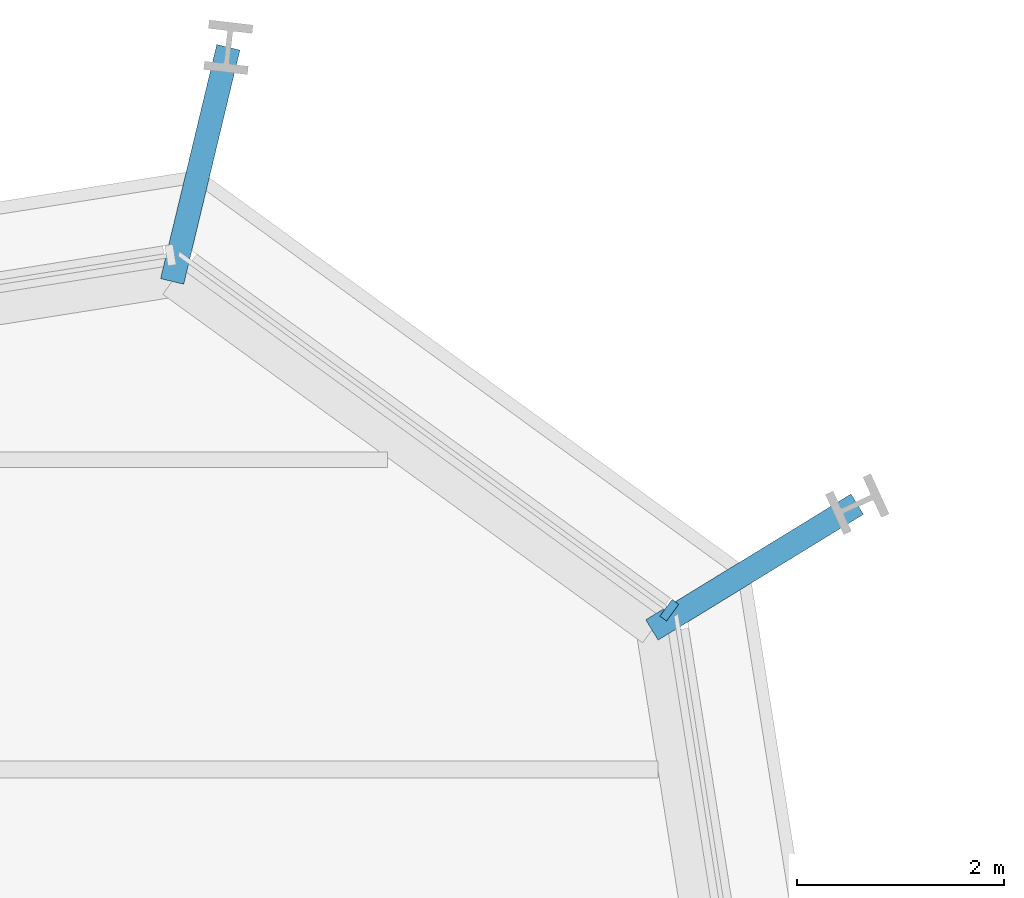
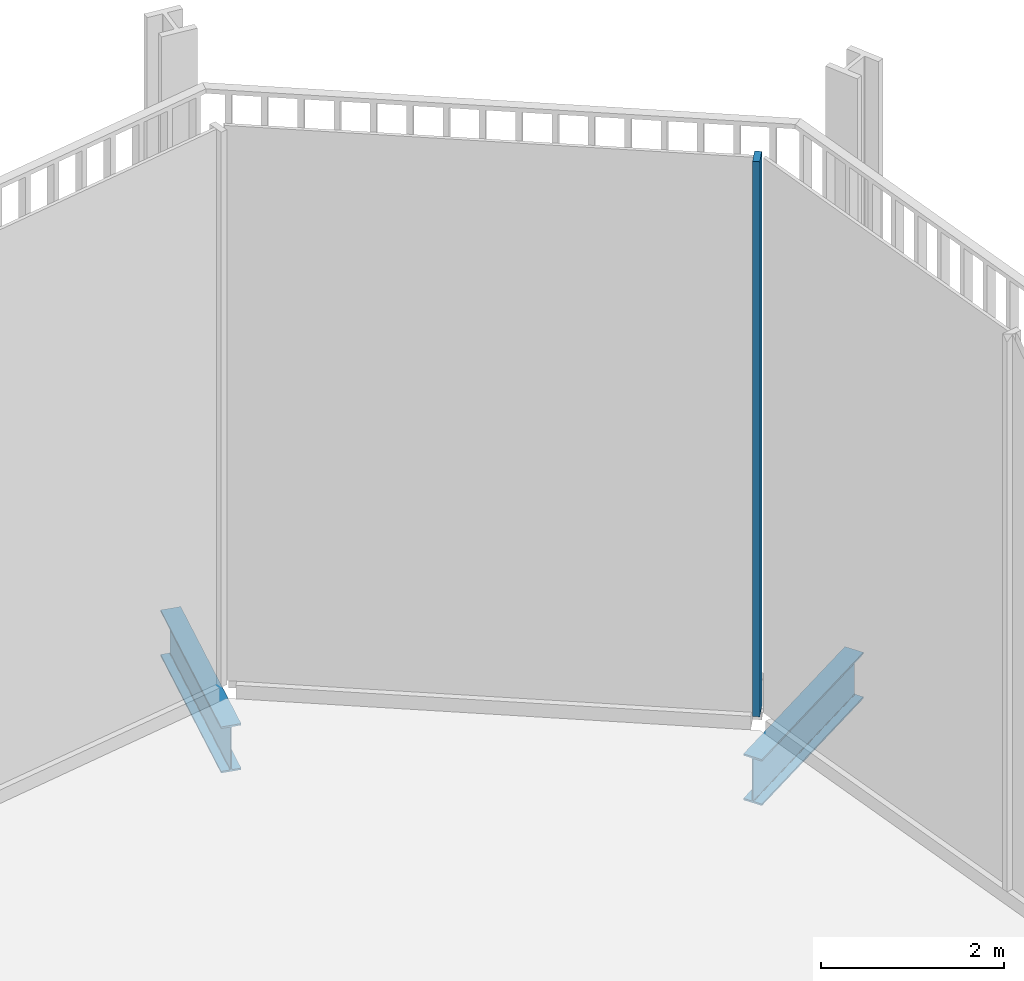
# One storey, part 9 of 19: 2 beams, 1 member, 1 element without a shape of its own.
"""IFC4 building model written with IfcOpenShell, lengths in metres."""

from ifc_helpers import new_model, si_unit, direction, frame, origin, origin_2d, place, context, subcontext, project, spatial, rectangle, i_section, extrude, material, layer, layer_set, material_profile, profile_set, type_object, element, aggregate, save


model = new_model("IFC4")

# Units and contexts
model_context = context("Model", 3, precision=1e-05, world=origin(), true_north=direction((0.0, 1.0)))
body_context = subcontext(model_context, "Body", "Model", "MODEL_VIEW")
ifc_project = project(units=[si_unit("LENGTHUNIT", "METRE"), si_unit("AREAUNIT", "SQUARE_METRE"), si_unit("VOLUMEUNIT", "CUBIC_METRE"), si_unit("PLANEANGLEUNIT", "RADIAN"), si_unit("MASSUNIT", "GRAM", prefix="KILO")], contexts=[model_context])

# Site, building, storey
site_placement = place(None, origin())
site = spatial("IfcSite", under=ifc_project, at=site_placement, CompositionType="ELEMENT")
building_placement = place(site_placement, origin())
building = spatial("IfcBuilding", under=site, at=building_placement, Name="Millrace Tower", CompositionType="ELEMENT")
storey_placement = place(building_placement, frame((0.0, 0.0, 172.39990234375)))
storey = spatial("IfcBuildingStorey", under=building, at=storey_placement, Name="L39", CompositionType="ELEMENT", Elevation=172.39990234375)

# Curtain wall, member
ifc_material_1 = material(Name="Aluminium and glass", Category="aluminium")
ifc_layer = layer(ifc_material_1, 0.199951171875)
ifc_layer_set = layer_set([ifc_layer], Name="Aluminium and glass")
curtain_wall_type = type_object("IfcCurtainWallType", Name="CW-4 sky garden winter glazing", PredefinedType="NOTDEFINED", material=ifc_layer_set)
curtain_wall_placement = place(storey_placement, origin())
curtain_wall = element("IfcCurtainWall", 1, at=curtain_wall_placement, inside=storey, type_object=curtain_wall_type, Name="Curtain wall C-F05 L39", PredefinedType="NOTDEFINED")
ifc_material_2 = material(Name="Aluminium", Category="aluminium")
ifc_material_profile_1 = material_profile(ifc_material_2, rectangle(XDim=0.080078125, YDim=0.199951171875, at=origin_2d()))
ifc_profile_set_1 = profile_set([ifc_material_profile_1], Name="Aluminium")
member_type = type_object("IfcMemberType", Name="CW-4 sky garden winter glazing mullion", PredefinedType="MULLION", material=ifc_profile_set_1)
member_placement = place(storey_placement, frame((21.41015625, 22.54248046875, 0.18017578125), z_axis=(0.0, 0.0, 1.0), x_axis=(-0.809016981623, 0.587785269844, 0.0)))
member = element("IfcMember", 2, at=member_placement, type_object=member_type, Name="CW4 mullion C-F05.1", PredefinedType="MULLION", context=body_context, shape_type="SweptSolid", body=[
    extrude(rectangle(XDim=0.080078125, YDim=0.199951171875, at=origin_2d()), origin(), (0.0, 0.0, 1.0), 7.419921875),
])
aggregate(curtain_wall, [member])

# Beams
ifc_material_3 = material(Name="Steel ASTM A992 Grade 50", Category="steel")
ifc_material_profile_2 = material_profile(ifc_material_3, i_section(OverallWidth=0.23046875, OverallDepth=0.6171875, WebThickness=0.01318359375, FlangeThickness=0.022216796875, FilletRadius=0.012939453125, at=origin_2d()))
ifc_profile_set_2 = profile_set([ifc_material_profile_2], Name="Steel ASTM A992 Grade 50")
beam_type = type_object("IfcBeamType", Name="Link beam W24x94", PredefinedType="BEAM", material=ifc_profile_set_2)
beam_1_placement = place(storey_placement, frame((16.5966796875, 25.725830078125, -0.55859375), z_axis=(0.233432364948, 0.972373041068, 0.0), x_axis=(-0.972373041068, 0.233432364948, 0.0)))
element("IfcBeam", 3, at=beam_1_placement, inside=storey, type_object=beam_type, Name="LNK-C-L39-S1-08", PredefinedType="BEAM", context=body_context, shape_type="SweptSolid", body=[
    extrude(i_section(OverallWidth=0.23046875, OverallDepth=0.6171875, WebThickness=0.01318359375, FlangeThickness=0.022216796875, FilletRadius=0.012939453125, at=origin_2d()), origin(), (0.0, 0.0, 1.0), 2.331298828125),
])
beam_2_placement = place(storey_placement, frame((21.241943359375, 22.35107421875, -0.55859375), z_axis=(0.852631355792, 0.522512938711, 0.0), x_axis=(-0.522512938711, 0.852631355792, 0.0)))
element("IfcBeam", 4, at=beam_2_placement, inside=storey, type_object=beam_type, Name="LNK-C-L39-S1-09", PredefinedType="BEAM", context=body_context, shape_type="SweptSolid", body=[
    extrude(i_section(OverallWidth=0.23046875, OverallDepth=0.6171875, WebThickness=0.01318359375, FlangeThickness=0.022216796875, FilletRadius=0.012939453125, at=origin_2d()), origin(), (0.0, 0.0, 1.0), 2.3310546875),
])

save(model, "model.ifc")
